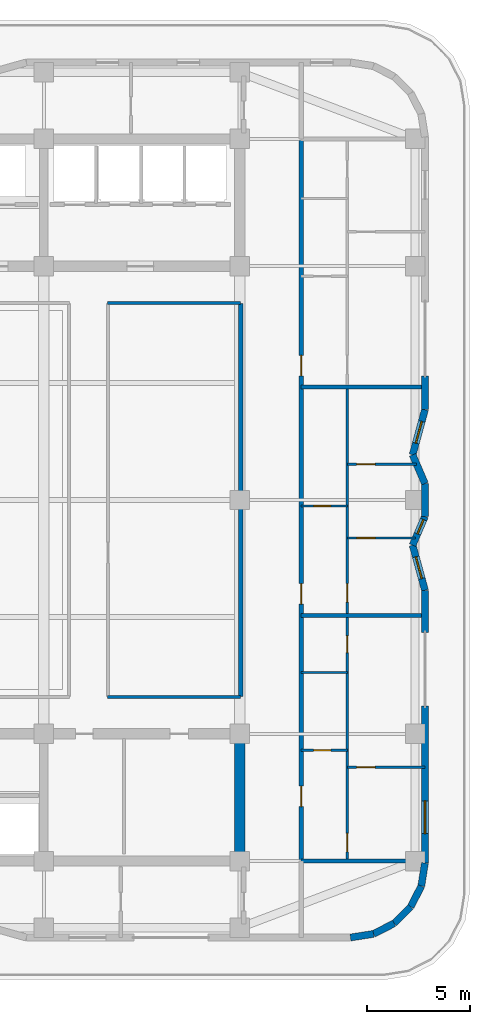
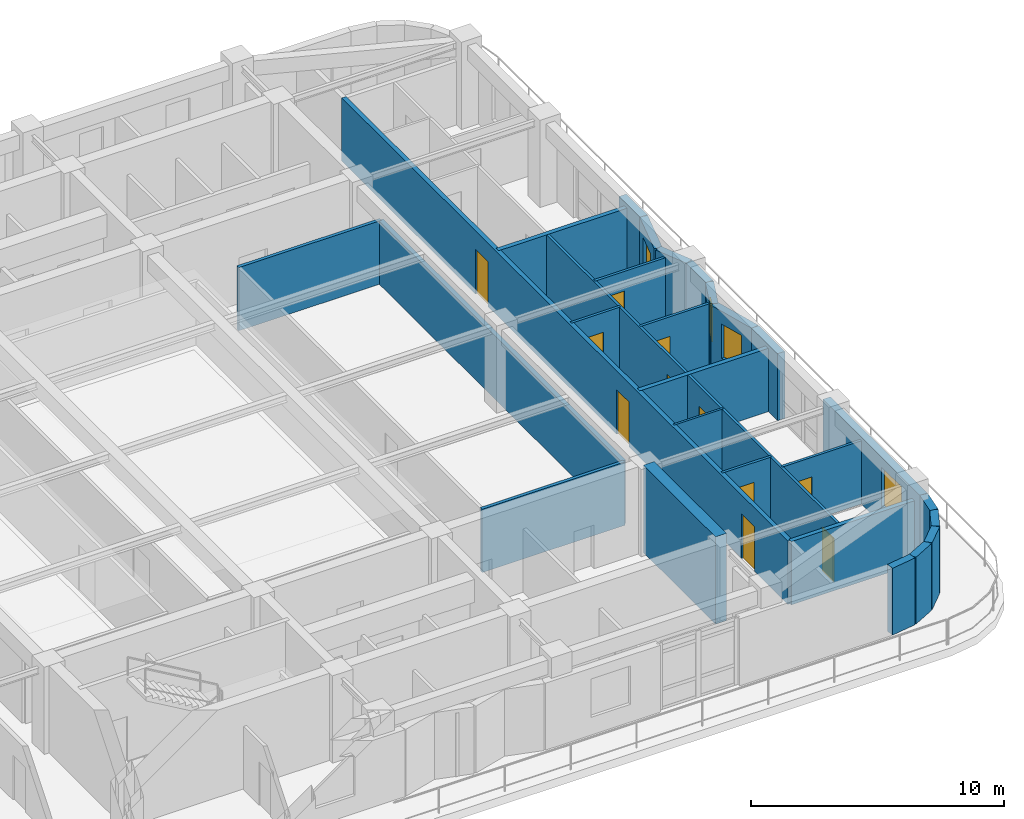
# One storey, part 8 of 14: 29 walls, 11 doors, 4 windows, 15 openings.
"""IFC4 building model written with IfcOpenShell, lengths in metres."""

from ifc_helpers import new_model, si_unit, direction, frame, frame_2d, origin, place, context, subcontext, project, spatial, rectangle, extrude, material, layer, layer_set, type_object, element, fill, save


model = new_model("IFC4")

# Units and contexts
model_context = context("Model", 3, precision=1e-05, world=origin(), true_north=direction((0.0, 1.0)))
body_context = subcontext(model_context, "Body", "Model", "MODEL_VIEW")
ifc_project = project(units=[si_unit("LENGTHUNIT", "METRE"), si_unit("AREAUNIT", "SQUARE_METRE"), si_unit("VOLUMEUNIT", "CUBIC_METRE"), si_unit("PLANEANGLEUNIT", "RADIAN"), si_unit("MASSUNIT", "GRAM", prefix="KILO")], contexts=[model_context])

# Site, building, storey
site_placement = place(None, origin())
site = spatial("IfcSite", under=ifc_project, at=site_placement, CompositionType="ELEMENT")
building_placement = place(site_placement, origin())
building = spatial("IfcBuilding", under=site, at=building_placement, Name="Svetorya Sky Lyceum", CompositionType="ELEMENT")
storey_placement = place(building_placement, frame((0.0, 0.0, 143.60009765625)))
storey = spatial("IfcBuildingStorey", under=building, at=storey_placement, Name="L35", CompositionType="ELEMENT", Elevation=143.60009765625)

# Walls
ifc_material_1 = material(Name="Concrete C50/60", Category="concrete")
ifc_layer_1 = layer(ifc_material_1, 0.5)
ifc_layer_set_1 = layer_set([ifc_layer_1], Name="Concrete C50/60")
wall_type_1 = type_object("IfcWallType", Name="WL-CORE-500", PredefinedType="SHEAR", material=ifc_layer_set_1)
wall_1_placement = place(storey_placement, frame((52.800048828125, 10.85009765625, 0.0), z_axis=(0.0, 0.0, 1.0), x_axis=(0.0, 1.0, 0.0)))
element("IfcWall", 1, at=wall_1_placement, inside=storey, type_object=wall_type_1, Name="L35 SC East Core Shear Wall", PredefinedType="SHEAR", context=body_context, shape_type="SweptSolid", body=[
    extrude(rectangle(XDim=5.699951171875, YDim=0.5, at=frame_2d((2.85009765625, 0.0))), origin(), (0.0, 0.0, 1.0), 4.199951171875),
])
ifc_material_2 = material(Name="Putilovo limestone rainscreen on autoclaved cellular masonry", Category="masonry")
ifc_layer_2 = layer(ifc_material_2, 0.340087890625)
ifc_layer_set_2 = layer_set([ifc_layer_2], Name="Putilovo limestone rainscreen on autoclaved cellular masonry")
wall_type_2 = type_object("IfcWallType", Name="WL-EXT-340", PredefinedType="SOLIDWALL", material=ifc_layer_set_2)
for number, where, z_axis, x_axis, name in (
    (2, (58.199951171875, 6.8701171875, 0.0), (0.0, 0.0, 1.0), (0.987714116584, 0.156271634985, 0.0), "L35 Limestone Exterior Wall 12M"),
    (3, (59.32177734375, 7.047607421875, 0.0), (0.0, 0.0, 1.0), (0.891005044957, 0.453993402883, 0.0), "L35 Limestone Exterior Wall 13M"),
):
    element("IfcWall", number, at=place(storey_placement, frame(where, z_axis=z_axis, x_axis=x_axis)), inside=storey, type_object=wall_type_2, Name=name, PredefinedType="SOLIDWALL", context=body_context, shape_type="SweptSolid", body=[
        extrude(rectangle(XDim=1.1357421875, YDim=0.340087890625, at=frame_2d((0.56787109375, 0.0))), origin(), (0.0, 0.0, 1.0), 3.219970703125),
    ])
wall_2_placement = place(storey_placement, frame((60.333740234375, 7.563232421875, 0.0), z_axis=(0.0, 0.0, 1.0), x_axis=(0.707106781187, 0.707106781187, 0.0)))
element("IfcWall", 4, at=wall_2_placement, inside=storey, type_object=wall_type_2, Name="L35 Limestone Exterior Wall 14M", PredefinedType="SOLIDWALL", context=body_context, shape_type="SweptSolid", body=[
    extrude(rectangle(XDim=1.135498046875, YDim=0.340087890625, at=frame_2d((0.56787109375, 0.0))), origin(), (0.0, 0.0, 1.0), 3.219970703125),
])
wall_3_placement = place(storey_placement, frame((61.13671875, 8.3662109375, 0.0), z_axis=(0.0, 0.0, 1.0), x_axis=(0.45390646422, 0.891049337433, 0.0)))
element("IfcWall", 5, at=wall_3_placement, inside=storey, type_object=wall_type_2, Name="L35 Limestone Exterior Wall 15M", PredefinedType="SOLIDWALL", context=body_context, shape_type="SweptSolid", body=[
    extrude(rectangle(XDim=1.135986328125, YDim=0.340087890625, at=frame_2d((0.56787109375, 0.0))), origin(), (0.0, 0.0, 1.0), 3.219970703125),
])
wall_4_placement = place(storey_placement, frame((61.65234375, 9.37841796875, 0.0), z_axis=(0.0, 0.0, 1.0), x_axis=(0.156514556949, 0.987675651954, 0.0)))
element("IfcWall", 6, at=wall_4_placement, inside=storey, type_object=wall_type_2, Name="L35 Limestone Exterior Wall 16M", PredefinedType="SOLIDWALL", context=body_context, shape_type="SweptSolid", body=[
    extrude(rectangle(XDim=1.135498046875, YDim=0.340087890625, at=frame_2d((0.56787109375, 0.0))), origin(), (0.0, 0.0, 1.0), 3.219970703125),
])

# Wall, opening, window
wall_5_placement = place(storey_placement, frame((61.830078125, 10.5, 0.0), z_axis=(0.0, 0.0, 1.0), x_axis=(0.0, 1.0, 0.0)))
wall_5 = element("IfcWall", 7, at=wall_5_placement, inside=storey, type_object=wall_type_2, Name="L35 Limestone Exterior Wall 17A", PredefinedType="SOLIDWALL", context=body_context, shape_type="SweptSolid", body=[
    extrude(rectangle(XDim=7.64990234375, YDim=0.340087890625, at=frame_2d((3.824951171875, 0.0))), origin(), (0.0, 0.0, 1.0), 3.219970703125),
])
opening_1_placement = place(wall_5_placement, frame((1.4375, 0.0, 0.85009765625)))
opening_1 = element("IfcOpeningElement", 8, at=opening_1_placement, cuts=wall_5, Name="Opening W-R4", PredefinedType="OPENING", context=body_context, shape_type="SweptSolid", body=[
    extrude(rectangle(XDim=1.60009765625, YDim=1.89990234375, at=frame_2d((0.800048828125, 0.949951171875))), frame((0.0, 0.179931640625, 0.0), z_axis=(0.0, -1.0, 0.0), x_axis=(1.0, 0.0, 0.0)), (0.0, 0.0, 1.0), 0.360107421875),
])
ifc_material_3 = material(Name="Thermally broken aluminium frame with triple low-E glazing", Category="aluminium")
window_type_1 = type_object("IfcWindowType", Name="WN-RES-160", PartitioningType="DOUBLE_PANEL_VERTICAL", PredefinedType="WINDOW", material=ifc_material_3)
window_1_placement = place(opening_1_placement, origin())
window_1 = element("IfcWindow", 9, at=window_1_placement, inside=storey, type_object=window_type_1, Name="L35 Facade Window W-R4.17A.1", OverallHeight=1.89990234375, OverallWidth=1.60009765625, PartitioningType="SINGLE_PANEL", PredefinedType="WINDOW", context=body_context, shape_type="SweptSolid", body=[
    extrude(rectangle(XDim=1.60009765625, YDim=1.89990234375, at=frame_2d((0.800048828125, 0.949951171875))), frame((0.0, 0.030029296875, 0.0), z_axis=(0.0, -1.0, 0.0), x_axis=(1.0, 0.0, 0.0)), (0.0, 0.0, 1.0), 0.06005859375),
])
fill(opening_1, window_1)

# Wall
wall_6_placement = place(storey_placement, frame((61.830078125, 21.75, 0.0), z_axis=(0.0, 0.0, 1.0), x_axis=(0.0, 1.0, 0.0)))
element("IfcWall", 10, at=wall_6_placement, inside=storey, type_object=wall_type_2, Name="L35 Limestone Exterior Wall 17B", PredefinedType="SOLIDWALL", context=body_context, shape_type="SweptSolid", body=[
    extrude(rectangle(XDim=2.050048828125, YDim=0.340087890625, at=frame_2d((1.02490234375, 0.0))), origin(), (0.0, 0.0, 1.0), 3.219970703125),
])

# Wall, opening, window
wall_7_placement = place(storey_placement, frame((61.830078125, 23.800048828125, 0.0), z_axis=(0.0, 0.0, 1.0), x_axis=(-0.263162701705, 0.964751466665, 0.0)))
wall_7 = element("IfcWall", 11, at=wall_7_placement, inside=storey, type_object=wall_type_2, Name="L35 Limestone Exterior Wall 18M", PredefinedType="SOLIDWALL", context=body_context, shape_type="SweptSolid", body=[
    extrude(rectangle(XDim=2.2802734375, YDim=0.340087890625, at=frame_2d((1.14013671875, 0.0))), origin(), (0.0, 0.0, 1.0), 3.219970703125),
])
opening_2_placement = place(wall_7_placement, frame((0.590087890625, 0.0, 0.949951171875)))
opening_2 = element("IfcOpeningElement", 12, at=opening_2_placement, cuts=wall_7, Name="Opening W-R3", PredefinedType="OPENING", context=body_context, shape_type="SweptSolid", body=[
    extrude(rectangle(XDim=1.10009765625, YDim=1.64990234375, at=frame_2d((0.550048828125, 0.824951171875))), frame((0.0, 0.179931640625, 0.0), z_axis=(0.0, -1.0, 0.0), x_axis=(1.0, 0.0, 0.0)), (0.0, 0.0, 1.0), 0.360107421875),
])
window_type_2 = type_object("IfcWindowType", Name="WN-RES-110", PartitioningType="SINGLE_PANEL", PredefinedType="WINDOW", material=ifc_material_3)
window_2_placement = place(opening_2_placement, origin())
window_2 = element("IfcWindow", 13, at=window_2_placement, inside=storey, type_object=window_type_2, Name="L35 Facade Window W-R3.18M.1", OverallHeight=1.64990234375, OverallWidth=1.10009765625, PartitioningType="SINGLE_PANEL", PredefinedType="WINDOW", context=body_context, shape_type="SweptSolid", body=[
    extrude(rectangle(XDim=1.10009765625, YDim=1.64990234375, at=frame_2d((0.550048828125, 0.824951171875))), frame((0.0, 0.030029296875, 0.0), z_axis=(0.0, -1.0, 0.0), x_axis=(1.0, 0.0, 0.0)), (0.0, 0.0, 1.0), 0.06005859375),
])
fill(opening_2, window_2)

wall_8_placement = place(storey_placement, frame((61.22998046875, 26.0, 0.0), z_axis=(0.0, 0.0, 1.0), x_axis=(0.39399667932, 0.919111862988, 0.0)))
wall_8 = element("IfcWall", 14, at=wall_8_placement, inside=storey, type_object=wall_type_2, Name="L35 Limestone Exterior Wall 19M", PredefinedType="SOLIDWALL", context=body_context, shape_type="SweptSolid", body=[
    extrude(rectangle(XDim=1.523193359375, YDim=0.340087890625, at=frame_2d((0.76171875, 0.0))), origin(), (0.0, 0.0, 1.0), 3.219970703125),
])
opening_3_placement = place(wall_8_placement, frame((0.60009765625, 0.0, 0.949951171875)))
opening_3 = element("IfcOpeningElement", 15, at=opening_3_placement, cuts=wall_8, Name="Opening W-R5", PredefinedType="OPENING", context=body_context, shape_type="SweptSolid", body=[
    extrude(rectangle(XDim=0.75, YDim=1.64990234375, at=frame_2d((0.375, 0.824951171875))), frame((0.0, 0.179931640625, 0.0), z_axis=(0.0, -1.0, 0.0), x_axis=(1.0, 0.0, 0.0)), (0.0, 0.0, 1.0), 0.360107421875),
])
window_type_3 = type_object("IfcWindowType", Name="WN-RES-075", PartitioningType="SINGLE_PANEL", PredefinedType="WINDOW", material=ifc_material_3)
window_3_placement = place(opening_3_placement, origin())
window_3 = element("IfcWindow", 16, at=window_3_placement, inside=storey, type_object=window_type_3, Name="L35 Facade Window W-R5.19M.1", OverallHeight=1.64990234375, OverallWidth=0.75, PartitioningType="SINGLE_PANEL", PredefinedType="WINDOW", context=body_context, shape_type="SweptSolid", body=[
    extrude(rectangle(XDim=0.75, YDim=1.64990234375, at=frame_2d((0.375, 0.824951171875))), frame((0.0, 0.030029296875, 0.0), z_axis=(0.0, -1.0, 0.0), x_axis=(1.0, 0.0, 0.0)), (0.0, 0.0, 1.0), 0.06005859375),
])
fill(opening_3, window_3)

# Walls
wall_9_placement = place(storey_placement, frame((61.830078125, 27.39990234375, 0.0), z_axis=(0.0, 0.0, 1.0), x_axis=(0.0, 1.0, 0.0)))
element("IfcWall", 17, at=wall_9_placement, inside=storey, type_object=wall_type_2, Name="L35 Limestone Exterior Wall 20M", PredefinedType="SOLIDWALL", context=body_context, shape_type="SweptSolid", body=[
    extrude(rectangle(XDim=1.60009765625, YDim=0.340087890625, at=frame_2d((0.800048828125, 0.0))), origin(), (0.0, 0.0, 1.0), 3.219970703125),
])
wall_10_placement = place(storey_placement, frame((61.830078125, 29.0, 0.0), z_axis=(0.0, 0.0, 1.0), x_axis=(-0.39399667932, 0.919111862988, 0.0)))
element("IfcWall", 18, at=wall_10_placement, inside=storey, type_object=wall_type_2, Name="L35 Limestone Exterior Wall 21M", PredefinedType="SOLIDWALL", context=body_context, shape_type="SweptSolid", body=[
    extrude(rectangle(XDim=1.523193359375, YDim=0.340087890625, at=frame_2d((0.76171875, 0.0))), origin(), (0.0, 0.0, 1.0), 3.219970703125),
])

# Wall, opening, window
wall_11_placement = place(storey_placement, frame((61.22998046875, 30.39990234375, 0.0), z_axis=(0.0, 0.0, 1.0), x_axis=(0.263135522356, 0.964758880174, 0.0)))
wall_11 = element("IfcWall", 19, at=wall_11_placement, inside=storey, type_object=wall_type_2, Name="L35 Limestone Exterior Wall 22M", PredefinedType="SOLIDWALL", context=body_context, shape_type="SweptSolid", body=[
    extrude(rectangle(XDim=2.280517578125, YDim=0.340087890625, at=frame_2d((1.14013671875, 0.0))), origin(), (0.0, 0.0, 1.0), 3.219970703125),
])
opening_4_placement = place(wall_11_placement, frame((0.590087890625, 0.0, 0.949951171875)))
opening_4 = element("IfcOpeningElement", 20, at=opening_4_placement, cuts=wall_11, Name="Opening W-R3", PredefinedType="OPENING", context=body_context, shape_type="SweptSolid", body=[
    extrude(rectangle(XDim=1.10009765625, YDim=1.64990234375, at=frame_2d((0.550048828125, 0.824951171875))), frame((0.0, 0.179931640625, 0.0), z_axis=(0.0, -1.0, 0.0), x_axis=(1.0, 0.0, 0.0)), (0.0, 0.0, 1.0), 0.360107421875),
])
window_4_placement = place(opening_4_placement, origin())
window_4 = element("IfcWindow", 21, at=window_4_placement, inside=storey, type_object=window_type_2, Name="L35 Facade Window W-R3.22M.1", OverallHeight=1.64990234375, OverallWidth=1.10009765625, PartitioningType="SINGLE_PANEL", PredefinedType="WINDOW", context=body_context, shape_type="SweptSolid", body=[
    extrude(rectangle(XDim=1.10009765625, YDim=1.64990234375, at=frame_2d((0.550048828125, 0.824951171875))), frame((0.0, 0.030029296875, 0.0), z_axis=(0.0, -1.0, 0.0), x_axis=(1.0, 0.0, 0.0)), (0.0, 0.0, 1.0), 0.06005859375),
])
fill(opening_4, window_4)

# Walls
wall_12_placement = place(storey_placement, frame((61.830078125, 32.60009765625, 0.0), z_axis=(0.0, 0.0, 1.0), x_axis=(0.0, 1.0, 0.0)))
element("IfcWall", 22, at=wall_12_placement, inside=storey, type_object=wall_type_2, Name="L35 Limestone Exterior Wall 23A", PredefinedType="SOLIDWALL", context=body_context, shape_type="SweptSolid", body=[
    extrude(rectangle(XDim=1.64990234375, YDim=0.340087890625, at=frame_2d((0.824951171875, 0.0))), origin(), (0.0, 0.0, 1.0), 3.219970703125),
])
ifc_material_4 = material(Name="Galvanized stud partition with moisture-resistant board", Category="gypsum")
ifc_layer_3 = layer(ifc_material_4, 0.10009765625)
ifc_layer_set_3 = layer_set([ifc_layer_3], Name="Galvanized stud partition with moisture-resistant board")
wall_type_3 = type_object("IfcWallType", Name="WL-PART-100", PredefinedType="PARTITIONING", material=ifc_layer_set_3)
wall_13_placement = place(storey_placement, frame((55.800048828125, 19.800048828125, 0.0), z_axis=(0.0, 0.0, 1.0), x_axis=(1.0, 0.0, 0.0)))
element("IfcWall", 23, at=wall_13_placement, inside=storey, type_object=wall_type_3, Name="L35 Interior Partition E1-WH2", PredefinedType="PARTITIONING", context=body_context, shape_type="SweptSolid", body=[
    extrude(rectangle(XDim=2.25, YDim=0.10009765625, at=frame_2d((1.125, 0.0))), origin(), (0.0, 0.0, 1.0), 3.0498046875),
])

# Wall, opening, door
ifc_material_5 = material(Name="Twin-stud galvanized framing with double fireboard", Category="gypsum")
ifc_layer_4 = layer(ifc_material_5, 0.1201171875)
ifc_layer_set_4 = layer_set([ifc_layer_4], Name="Twin-stud galvanized framing with double fireboard")
wall_type_4 = type_object("IfcWallType", Name="WL-PART-120", PredefinedType="PARTITIONING", material=ifc_layer_set_4)
wall_14_placement = place(storey_placement, frame((55.800048828125, 16.0, 0.0), z_axis=(0.0, 0.0, 1.0), x_axis=(1.0, 0.0, 0.0)))
wall_14 = element("IfcWall", 24, at=wall_14_placement, inside=storey, type_object=wall_type_4, Name="L35 Interior Partition E1-WH1", PredefinedType="PARTITIONING", context=body_context, shape_type="SweptSolid", body=[
    extrude(rectangle(XDim=2.25, YDim=0.1201171875, at=frame_2d((1.125, 0.0))), origin(), (0.0, 0.0, 1.0), 3.0498046875),
])
opening_5_placement = place(wall_14_placement, frame((0.60009765625, 0.0, 0.0)))
opening_5 = element("IfcOpeningElement", 25, at=opening_5_placement, cuts=wall_14, Name="Opening D-BT1", PredefinedType="OPENING", context=body_context, shape_type="SweptSolid", body=[
    extrude(rectangle(XDim=0.85009765625, YDim=2.10009765625, at=frame_2d((0.425048828125, 1.050048828125))), frame((0.0, 0.070068359375, 0.0), z_axis=(0.0, -1.0, 0.0), x_axis=(1.0, 0.0, 0.0)), (0.0, 0.0, 1.0), 0.14013671875),
])
ifc_material_6 = material(Name="Moisture-resistant laminate bathroom door")
door_type_1 = type_object("IfcDoorType", Name="DR-WET-850", OperationType="SINGLE_SWING_LEFT", PredefinedType="DOOR", material=ifc_material_6)
door_1_placement = place(opening_5_placement, origin())
door_1 = element("IfcDoor", 26, at=door_1_placement, inside=storey, type_object=door_type_1, Name="Apartment E1 Bathroom Door", OperationType="SINGLE_SWING_RIGHT", OverallHeight=2.10009765625, OverallWidth=0.85009765625, PredefinedType="DOOR", context=body_context, shape_type="SweptSolid", body=[
    extrude(rectangle(XDim=0.85009765625, YDim=2.10009765625, at=frame_2d((0.425048828125, 1.050048828125))), frame((0.0, 0.02490234375, 0.0), z_axis=(0.0, -1.0, 0.0), x_axis=(1.0, 0.0, 0.0)), (0.0, 0.0, 1.0), 0.050048828125),
])
fill(opening_5, door_1)

wall_15_placement = place(storey_placement, frame((58.050048828125, 15.179931640625, 0.0), z_axis=(0.0, 0.0, 1.0), x_axis=(1.0, 0.0, 0.0)))
wall_15 = element("IfcWall", 27, at=wall_15_placement, inside=storey, type_object=wall_type_4, Name="L35 Interior Partition E1-WL1", PredefinedType="PARTITIONING", context=body_context, shape_type="SweptSolid", body=[
    extrude(rectangle(XDim=3.780029296875, YDim=0.1201171875, at=frame_2d((1.89013671875, 0.0))), origin(), (0.0, 0.0, 1.0), 3.0498046875),
])
opening_6_placement = place(wall_15_placement, frame((0.449951171875, 0.0, 0.0)))
opening_6 = element("IfcOpeningElement", 28, at=opening_6_placement, cuts=wall_15, Name="Opening D-RM1", PredefinedType="OPENING", context=body_context, shape_type="SweptSolid", body=[
    extrude(rectangle(XDim=0.89990234375, YDim=2.10009765625, at=frame_2d((0.449951171875, 1.050048828125))), frame((0.0, 0.070068359375, 0.0), z_axis=(0.0, -1.0, 0.0), x_axis=(1.0, 0.0, 0.0)), (0.0, 0.0, 1.0), 0.14013671875),
])
ifc_material_7 = material(Name="Lacquered birch veneer internal door")
door_type_2 = type_object("IfcDoorType", Name="DR-INT-900", OperationType="SINGLE_SWING_LEFT", PredefinedType="DOOR", material=ifc_material_7)
door_2_placement = place(opening_6_placement, origin())
door_2 = element("IfcDoor", 29, at=door_2_placement, inside=storey, type_object=door_type_2, Name="Apartment E1 Bedroom 1 Door", OperationType="SINGLE_SWING_RIGHT", OverallHeight=2.10009765625, OverallWidth=0.89990234375, PredefinedType="DOOR", context=body_context, shape_type="SweptSolid", body=[
    extrude(rectangle(XDim=0.89990234375, YDim=2.10009765625, at=frame_2d((0.449951171875, 1.050048828125))), frame((0.0, 0.02490234375, 0.0), z_axis=(0.0, -1.0, 0.0), x_axis=(1.0, 0.0, 0.0)), (0.0, 0.0, 1.0), 0.050048828125),
])
fill(opening_6, door_2)

# Wall, openings, doors
wall_16_placement = place(storey_placement, frame((58.050048828125, 10.639892578125, 0.0), z_axis=(0.0, 0.0, 1.0), x_axis=(0.0, 1.0, 0.0)))
wall_16 = element("IfcWall", 30, at=wall_16_placement, inside=storey, type_object=wall_type_4, Name="L35 Interior Partition E1-WV", PredefinedType="PARTITIONING", context=body_context, shape_type="SweptSolid", body=[
    extrude(rectangle(XDim=11.88818359375, YDim=0.1201171875, at=frame_2d((5.944091796875, 0.0))), origin(), (0.0, 0.0, 1.0), 3.0498046875),
])
opening_7_placement = place(wall_16_placement, frame((0.409912109375, 0.0, 0.0)))
opening_7 = element("IfcOpeningElement", 31, at=opening_7_placement, cuts=wall_16, Name="Opening D-RM1", PredefinedType="OPENING", context=body_context, shape_type="SweptSolid", body=[
    extrude(rectangle(XDim=0.89990234375, YDim=2.10009765625, at=frame_2d((0.449951171875, 1.050048828125))), frame((0.0, 0.070068359375, 0.0), z_axis=(0.0, -1.0, 0.0), x_axis=(1.0, 0.0, 0.0)), (0.0, 0.0, 1.0), 0.14013671875),
])
opening_8_placement = place(wall_16_placement, frame((10.118896484375, 0.0, 0.0)))
opening_8 = element("IfcOpeningElement", 32, at=opening_8_placement, cuts=wall_16, Name="Opening D-BT2", PredefinedType="OPENING", context=body_context, shape_type="SweptSolid", body=[
    extrude(rectangle(XDim=0.820068359375, YDim=2.080078125, at=frame_2d((0.41015625, 1.0400390625))), frame((0.0, 0.070068359375, 0.0), z_axis=(0.0, -1.0, 0.0), x_axis=(1.0, 0.0, 0.0)), (0.0, 0.0, 1.0), 0.14013671875),
])
door_3_placement = place(opening_7_placement, origin())
door_3 = element("IfcDoor", 33, at=door_3_placement, inside=storey, type_object=door_type_2, Name="Apartment E1 Living Door", OperationType="SINGLE_SWING_LEFT", OverallHeight=2.10009765625, OverallWidth=0.89990234375, PredefinedType="DOOR", context=body_context, shape_type="SweptSolid", body=[
    extrude(rectangle(XDim=0.89990234375, YDim=2.10009765625, at=frame_2d((0.449951171875, 1.050048828125))), frame((0.0, 0.02490234375, 0.0), z_axis=(0.0, -1.0, 0.0), x_axis=(1.0, 0.0, 0.0)), (0.0, 0.0, 1.0), 0.050048828125),
])
fill(opening_7, door_3)
ifc_material_8 = material(Name="Compact moisture-resistant laminate closet door")
door_type_3 = type_object("IfcDoorType", Name="DR-WET-820", OperationType="SINGLE_SWING_LEFT", PredefinedType="DOOR", material=ifc_material_8)
door_4_placement = place(opening_8_placement, origin())
door_4 = element("IfcDoor", 34, at=door_4_placement, inside=storey, type_object=door_type_3, Name="Apartment E1 Study Door", OperationType="SINGLE_SWING_RIGHT", OverallHeight=2.080078125, OverallWidth=0.820068359375, PredefinedType="DOOR", context=body_context, shape_type="SweptSolid", body=[
    extrude(rectangle(XDim=0.820068359375, YDim=2.080078125, at=frame_2d((0.41015625, 1.0400390625))), frame((0.0, 0.02490234375, 0.0), z_axis=(0.0, -1.0, 0.0), x_axis=(1.0, 0.0, 0.0)), (0.0, 0.0, 1.0), 0.050048828125),
])
fill(opening_8, door_4)

# Wall, opening, door
wall_17_placement = place(storey_placement, frame((55.800048828125, 27.907958984375, 0.0), z_axis=(0.0, 0.0, 1.0), x_axis=(1.0, 0.0, 0.0)))
wall_17 = element("IfcWall", 35, at=wall_17_placement, inside=storey, type_object=wall_type_4, Name="L35 Interior Partition E2-WH1", PredefinedType="PARTITIONING", context=body_context, shape_type="SweptSolid", body=[
    extrude(rectangle(XDim=2.25, YDim=0.1201171875, at=frame_2d((1.125, 0.0))), origin(), (0.0, 0.0, 1.0), 3.0498046875),
])
opening_9_placement = place(wall_17_placement, frame((0.60009765625, 0.0, 0.0)))
opening_9 = element("IfcOpeningElement", 36, at=opening_9_placement, cuts=wall_17, Name="Opening D-BT1", PredefinedType="OPENING", context=body_context, shape_type="SweptSolid", body=[
    extrude(rectangle(XDim=0.85009765625, YDim=2.10009765625, at=frame_2d((0.425048828125, 1.050048828125))), frame((0.0, 0.070068359375, 0.0), z_axis=(0.0, -1.0, 0.0), x_axis=(1.0, 0.0, 0.0)), (0.0, 0.0, 1.0), 0.14013671875),
])
door_5_placement = place(opening_9_placement, origin())
door_5 = element("IfcDoor", 37, at=door_5_placement, inside=storey, type_object=door_type_1, Name="Apartment E2 Bathroom Door", OperationType="SINGLE_SWING_LEFT", OverallHeight=2.10009765625, OverallWidth=0.85009765625, PredefinedType="DOOR", context=body_context, shape_type="SweptSolid", body=[
    extrude(rectangle(XDim=0.85009765625, YDim=2.10009765625, at=frame_2d((0.425048828125, 1.050048828125))), frame((0.0, 0.02490234375, 0.0), z_axis=(0.0, -1.0, 0.0), x_axis=(1.0, 0.0, 0.0)), (0.0, 0.0, 1.0), 0.050048828125),
])
fill(opening_9, door_5)

wall_18_placement = place(storey_placement, frame((58.050048828125, 26.347900390625, 0.0), z_axis=(0.0, 0.0, 1.0), x_axis=(1.0, 0.0, 0.0)))
wall_18 = element("IfcWall", 38, at=wall_18_placement, inside=storey, type_object=wall_type_4, Name="L35 Interior Partition E2-WL1", PredefinedType="PARTITIONING", context=body_context, shape_type="SweptSolid", body=[
    extrude(rectangle(XDim=3.3291015625, YDim=0.1201171875, at=frame_2d((1.66455078125, 0.0))), origin(), (0.0, 0.0, 1.0), 3.0498046875),
])
opening_10_placement = place(wall_18_placement, frame((0.449951171875, 0.0, 0.0)))
opening_10 = element("IfcOpeningElement", 39, at=opening_10_placement, cuts=wall_18, Name="Opening D-RM1", PredefinedType="OPENING", context=body_context, shape_type="SweptSolid", body=[
    extrude(rectangle(XDim=0.89990234375, YDim=2.10009765625, at=frame_2d((0.449951171875, 1.050048828125))), frame((0.0, 0.070068359375, 0.0), z_axis=(0.0, -1.0, 0.0), x_axis=(1.0, 0.0, 0.0)), (0.0, 0.0, 1.0), 0.14013671875),
])
door_6_placement = place(opening_10_placement, origin())
door_6 = element("IfcDoor", 40, at=door_6_placement, inside=storey, type_object=door_type_2, Name="Apartment E2 Master Bedroom Door", OperationType="SINGLE_SWING_LEFT", OverallHeight=2.10009765625, OverallWidth=0.89990234375, PredefinedType="DOOR", context=body_context, shape_type="SweptSolid", body=[
    extrude(rectangle(XDim=0.89990234375, YDim=2.10009765625, at=frame_2d((0.449951171875, 1.050048828125))), frame((0.0, 0.02490234375, 0.0), z_axis=(0.0, -1.0, 0.0), x_axis=(1.0, 0.0, 0.0)), (0.0, 0.0, 1.0), 0.050048828125),
])
fill(opening_10, door_6)

wall_19_placement = place(storey_placement, frame((58.050048828125, 29.947998046875, 0.0), z_axis=(0.0, 0.0, 1.0), x_axis=(1.0, 0.0, 0.0)))
wall_19 = element("IfcWall", 41, at=wall_19_placement, inside=storey, type_object=wall_type_4, Name="L35 Interior Partition E2-WL2", PredefinedType="PARTITIONING", context=body_context, shape_type="SweptSolid", body=[
    extrude(rectangle(XDim=3.37353515625, YDim=0.1201171875, at=frame_2d((1.686767578125, 0.0))), origin(), (0.0, 0.0, 1.0), 3.0498046875),
])
opening_11_placement = place(wall_19_placement, frame((0.449951171875, 0.0, 0.0)))
opening_11 = element("IfcOpeningElement", 42, at=opening_11_placement, cuts=wall_19, Name="Opening D-RM1", PredefinedType="OPENING", context=body_context, shape_type="SweptSolid", body=[
    extrude(rectangle(XDim=0.89990234375, YDim=2.10009765625, at=frame_2d((0.449951171875, 1.050048828125))), frame((0.0, 0.070068359375, 0.0), z_axis=(0.0, -1.0, 0.0), x_axis=(1.0, 0.0, 0.0)), (0.0, 0.0, 1.0), 0.14013671875),
])
door_7_placement = place(opening_11_placement, origin())
door_7 = element("IfcDoor", 43, at=door_7_placement, inside=storey, type_object=door_type_2, Name="Apartment E2 Bedroom 2 Door", OperationType="SINGLE_SWING_RIGHT", OverallHeight=2.10009765625, OverallWidth=0.89990234375, PredefinedType="DOOR", context=body_context, shape_type="SweptSolid", body=[
    extrude(rectangle(XDim=0.89990234375, YDim=2.10009765625, at=frame_2d((0.449951171875, 1.050048828125))), frame((0.0, 0.02490234375, 0.0), z_axis=(0.0, -1.0, 0.0), x_axis=(1.0, 0.0, 0.0)), (0.0, 0.0, 1.0), 0.050048828125),
])
fill(opening_11, door_7)

wall_20_placement = place(storey_placement, frame((58.050048828125, 22.60791015625, 0.0), z_axis=(0.0, 0.0, 1.0), x_axis=(0.0, 1.0, 0.0)))
wall_20 = element("IfcWall", 44, at=wall_20_placement, inside=storey, type_object=wall_type_4, Name="L35 Interior Partition E2-WV", PredefinedType="PARTITIONING", context=body_context, shape_type="SweptSolid", body=[
    extrude(rectangle(XDim=11.052001953125, YDim=0.1201171875, at=frame_2d((5.52587890625, 0.0))), origin(), (0.0, 0.0, 1.0), 3.0498046875),
])
opening_12_placement = place(wall_20_placement, frame((0.610107421875, 0.0, 0.0)))
opening_12 = element("IfcOpeningElement", 45, at=opening_12_placement, cuts=wall_20, Name="Opening D-RM1", PredefinedType="OPENING", context=body_context, shape_type="SweptSolid", body=[
    extrude(rectangle(XDim=0.89990234375, YDim=2.10009765625, at=frame_2d((0.449951171875, 1.050048828125))), frame((0.0, 0.070068359375, 0.0), z_axis=(0.0, -1.0, 0.0), x_axis=(1.0, 0.0, 0.0)), (0.0, 0.0, 1.0), 0.14013671875),
])
door_8_placement = place(opening_12_placement, origin())
door_8 = element("IfcDoor", 46, at=door_8_placement, inside=storey, type_object=door_type_2, Name="Apartment E2 Living Door", OperationType="SINGLE_SWING_RIGHT", OverallHeight=2.10009765625, OverallWidth=0.89990234375, PredefinedType="DOOR", context=body_context, shape_type="SweptSolid", body=[
    extrude(rectangle(XDim=0.89990234375, YDim=2.10009765625, at=frame_2d((0.449951171875, 1.050048828125))), frame((0.0, 0.02490234375, 0.0), z_axis=(0.0, -1.0, 0.0), x_axis=(1.0, 0.0, 0.0)), (0.0, 0.0, 1.0), 0.050048828125),
])
fill(opening_12, door_8)

# Walls
ifc_material_9 = material(Name="Autoclaved cellular masonry blockwork with acoustic render", Category="masonry")
ifc_layer_5 = layer(ifc_material_9, 0.14990234375)
ifc_layer_set_5 = layer_set([ifc_layer_5], Name="Autoclaved cellular masonry blockwork with acoustic render")
wall_type_5 = type_object("IfcWallType", Name="WL-PART-150", PredefinedType="PARTITIONING", material=ifc_layer_set_5)
for number, where, z_axis, x_axis, name in (
    (47, (46.35009765625, 18.60009765625, 0.0), (0.0, 0.0, 1.0), (1.0, 0.0, 0.0), "L35 Interior Partition RL-CS-E"),
    (48, (46.35009765625, 37.800048828125, 0.0), (0.0, 0.0, 1.0), (1.0, 0.0, 0.0), "L35 Interior Partition RL-CN-E"),
):
    element("IfcWall", number, at=place(storey_placement, frame(where, z_axis=z_axis, x_axis=x_axis)), inside=storey, type_object=wall_type_5, Name=name, PredefinedType="PARTITIONING", context=body_context, shape_type="SweptSolid", body=[
        extrude(rectangle(XDim=6.5, YDim=0.14990234375, at=frame_2d((3.25, 0.0))), origin(), (0.0, 0.0, 1.0), 3.0498046875),
    ])
ifc_material_10 = material(Name="Autoclaved cellular masonry blockwork with gypsum plaster", Category="masonry")
ifc_layer_6 = layer(ifc_material_10, 0.199951171875)
ifc_layer_set_6 = layer_set([ifc_layer_6], Name="Autoclaved cellular masonry blockwork with gypsum plaster")
wall_type_6 = type_object("IfcWallType", Name="WL-PART-200", PredefinedType="PARTITIONING", material=ifc_layer_set_6)
wall_21_placement = place(storey_placement, frame((52.85009765625, 18.6298828125, 0.0), z_axis=(0.0, 0.0, 1.0), x_axis=(0.0, 1.0, 0.0)))
element("IfcWall", 49, at=wall_21_placement, inside=storey, type_object=wall_type_6, Name="L35 Interior Partition E-CEN-SEP", PredefinedType="PARTITIONING", context=body_context, shape_type="SweptSolid", body=[
    extrude(rectangle(XDim=19.14013671875, YDim=0.199951171875, at=frame_2d((9.570068359375, 0.0))), origin(), (0.0, 0.0, 1.0), 3.0498046875),
])
for number, where, z_axis, x_axis, name in (
    (50, (55.800048828125, 22.568115234375, 0.0), (0.0, 0.0, 1.0), (1.0, 0.0, 0.0), "L35 Interior Partition E-PARTY-1"),
    (51, (55.800048828125, 33.699951171875, 0.0), (0.0, 0.0, 1.0), (1.0, 0.0, 0.0), "L35 Interior Partition E-PARTY-2"),
):
    element("IfcWall", number, at=place(storey_placement, frame(where, z_axis=z_axis, x_axis=x_axis)), inside=storey, type_object=wall_type_6, Name=name, PredefinedType="PARTITIONING", context=body_context, shape_type="SweptSolid", body=[
        extrude(rectangle(XDim=6.030029296875, YDim=0.199951171875, at=frame_2d((3.01513671875, 0.0))), origin(), (0.0, 0.0, 1.0), 3.0498046875),
    ])

# Wall, openings, doors
wall_22_placement = place(storey_placement, frame((55.800048828125, 10.60009765625, 0.0), z_axis=(0.0, 0.0, 1.0), x_axis=(0.0, 1.0, 0.0)))
wall_22 = element("IfcWall", 52, at=wall_22_placement, inside=storey, type_object=wall_type_6, Name="L35 Interior Partition E-CORRW", PredefinedType="PARTITIONING", context=body_context, shape_type="SweptSolid", body=[
    extrude(rectangle(XDim=35.199951171875, YDim=0.199951171875, at=frame_2d((17.60009765625, 0.0))), origin(), (0.0, 0.0, 1.0), 3.0498046875),
])
opening_13_placement = place(wall_22_placement, frame((2.64990234375, 0.0, 0.0)))
opening_13 = element("IfcOpeningElement", 53, at=opening_13_placement, cuts=wall_22, Name="Opening D-APT1", PredefinedType="OPENING", context=body_context, shape_type="SweptSolid", body=[
    extrude(rectangle(XDim=1.0, YDim=2.14990234375, at=frame_2d((0.5, 1.074951171875))), frame((0.0, 0.10986328125, 0.0), z_axis=(0.0, -1.0, 0.0), x_axis=(1.0, 0.0, 0.0)), (0.0, 0.0, 1.0), 0.219970703125),
])
opening_14_placement = place(wall_22_placement, frame((12.51806640625, 0.0, 0.0)))
opening_14 = element("IfcOpeningElement", 54, at=opening_14_placement, cuts=wall_22, Name="Opening D-APT1", PredefinedType="OPENING", context=body_context, shape_type="SweptSolid", body=[
    extrude(rectangle(XDim=1.0, YDim=2.14990234375, at=frame_2d((0.5, 1.074951171875))), frame((0.0, 0.10986328125, 0.0), z_axis=(0.0, -1.0, 0.0), x_axis=(1.0, 0.0, 0.0)), (0.0, 0.0, 1.0), 0.219970703125),
])
opening_15_placement = place(wall_22_placement, frame((23.64990234375, 0.0, 0.0)))
opening_15 = element("IfcOpeningElement", 55, at=opening_15_placement, cuts=wall_22, Name="Opening D-APT1", PredefinedType="OPENING", context=body_context, shape_type="SweptSolid", body=[
    extrude(rectangle(XDim=1.0, YDim=2.14990234375, at=frame_2d((0.5, 1.074951171875))), frame((0.0, 0.10986328125, 0.0), z_axis=(0.0, -1.0, 0.0), x_axis=(1.0, 0.0, 0.0)), (0.0, 0.0, 1.0), 0.219970703125),
])
ifc_material_11 = material(Name="Insulated oak-veneered apartment entrance door")
door_type_4 = type_object("IfcDoorType", Name="DR-APT-1000", OperationType="SINGLE_SWING_LEFT", PredefinedType="DOOR", material=ifc_material_11)
door_9_placement = place(opening_13_placement, origin())
door_9 = element("IfcDoor", 56, at=door_9_placement, inside=storey, type_object=door_type_4, Name="L35 Apartment E1 Entrance Door", OperationType="SINGLE_SWING_RIGHT", OverallHeight=2.14990234375, OverallWidth=1.0, PredefinedType="DOOR", context=body_context, shape_type="SweptSolid", body=[
    extrude(rectangle(XDim=1.0, YDim=2.14990234375, at=frame_2d((0.5, 1.074951171875))), frame((0.0, 0.02490234375, 0.0), z_axis=(0.0, -1.0, 0.0), x_axis=(1.0, 0.0, 0.0)), (0.0, 0.0, 1.0), 0.050048828125),
])
fill(opening_13, door_9)
door_10_placement = place(opening_14_placement, origin())
door_10 = element("IfcDoor", 57, at=door_10_placement, inside=storey, type_object=door_type_4, Name="L35 Apartment E2 Entrance Door", OperationType="SINGLE_SWING_LEFT", OverallHeight=2.14990234375, OverallWidth=1.0, PredefinedType="DOOR", context=body_context, shape_type="SweptSolid", body=[
    extrude(rectangle(XDim=1.0, YDim=2.14990234375, at=frame_2d((0.5, 1.074951171875))), frame((0.0, 0.02490234375, 0.0), z_axis=(0.0, -1.0, 0.0), x_axis=(1.0, 0.0, 0.0)), (0.0, 0.0, 1.0), 0.050048828125),
])
fill(opening_14, door_10)
door_11_placement = place(opening_15_placement, origin())
door_11 = element("IfcDoor", 58, at=door_11_placement, inside=storey, type_object=door_type_4, Name="L35 Apartment E3 Entrance Door", OperationType="SINGLE_SWING_RIGHT", OverallHeight=2.14990234375, OverallWidth=1.0, PredefinedType="DOOR", context=body_context, shape_type="SweptSolid", body=[
    extrude(rectangle(XDim=1.0, YDim=2.14990234375, at=frame_2d((0.5, 1.074951171875))), frame((0.0, 0.02490234375, 0.0), z_axis=(0.0, -1.0, 0.0), x_axis=(1.0, 0.0, 0.0)), (0.0, 0.0, 1.0), 0.050048828125),
])
fill(opening_15, door_11)

# Wall
wall_23_placement = place(storey_placement, frame((55.800048828125, 10.60009765625, 0.0), z_axis=(0.0, 0.0, 1.0), x_axis=(1.0, 0.0, 0.0)))
element("IfcWall", 59, at=wall_23_placement, inside=storey, type_object=wall_type_6, Name="L35 Interior Partition E-CAP-S", PredefinedType="PARTITIONING", context=body_context, shape_type="SweptSolid", body=[
    extrude(rectangle(XDim=5.60986328125, YDim=0.199951171875, at=frame_2d((2.804931640625, 0.0))), origin(), (0.0, 0.0, 1.0), 3.0498046875),
])

save(model, "model.ifc")
